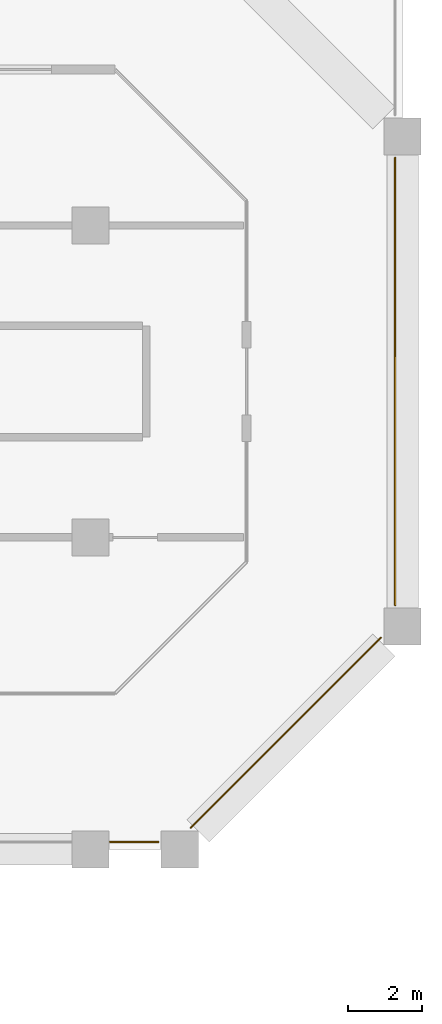
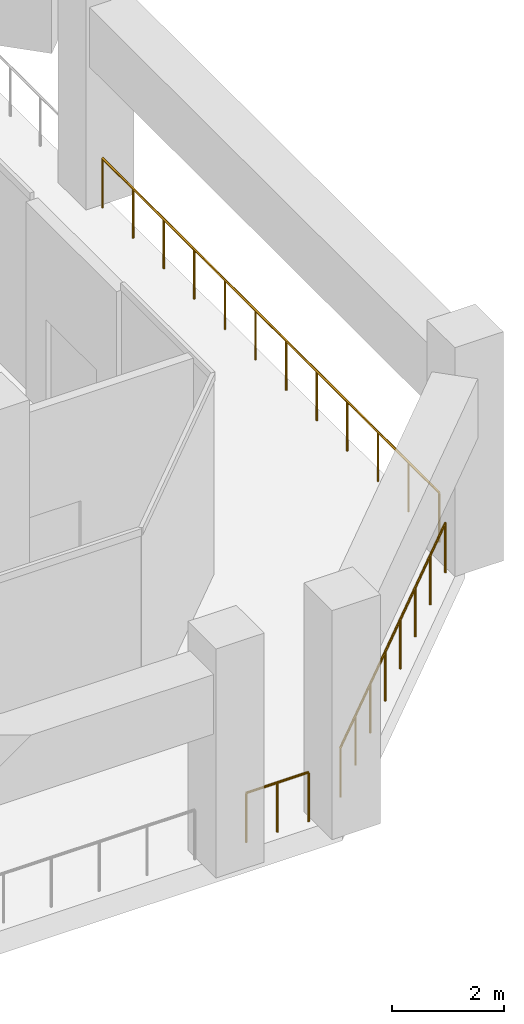
# One storey, part 19 of 19: 3 railings.
"""IFC4 building model written with IfcOpenShell, lengths in metres."""

import ifcopenshell
import ifcopenshell.guid

model = None  # the IFC model being written
_history = None  # IfcOwnerHistory: only IFC2X3 demands one
_inside = {}  # id of a spatial element -> (the spatial element, [elements in it])
_under = {}  # id of a project, library or spatial element -> (it, [spatial elements below it])
_declared = {}  # id of a project -> (the project, [libraries it declares])
_typed = {}  # id of a type object -> (the type object, [elements of that type])
_made_of = {}  # id of a material, layer set ... -> (it, [elements and type objects made of it])


def new_model(schema):
    """Start an empty IFC model of exactly this schema.

    Asked for "IFC4X3", IfcOpenShell would pick the latest addendum, in which some entities
    have other attributes; the version numbers below select the first issue.
    IFC2X3 requires an IfcOwnerHistory on every rooted entity: one is made here for all.
    """
    global model, _history
    if schema == "IFC4X3":
        model = ifcopenshell.file(schema_version=(4, 3, 0, 0))
    else:
        model = ifcopenshell.file(schema=schema)
    _inside.clear()
    _under.clear()
    _declared.clear()
    _typed.clear()
    _made_of.clear()
    _history = None
    if model.schema == "IFC2X3":
        org = make("IfcOrganization", Name="unknown")
        user = make(
            "IfcPersonAndOrganization",
            ThePerson=make("IfcPerson", FamilyName="unknown"),
            TheOrganization=org,
        )
        app = make(
            "IfcApplication",
            ApplicationDeveloper=org,
            Version="unknown",
            ApplicationFullName="unknown",
            ApplicationIdentifier="unknown",
        )
        _history = make(
            "IfcOwnerHistory",
            OwningUser=user,
            OwningApplication=app,
            ChangeAction="ADDED",
            CreationDate=0,
        )
    return model


def make(cls, **values):
    """One entity of the class cls with the attributes given. An attribute that is None is left unset."""
    return model.create_entity(
        cls, **{name: value for name, value in values.items() if value is not None}
    )


def rooted(cls, **values):
    """An entity with a GlobalId (a new one), such as an element, a storey or a relation."""
    return make(cls, GlobalId=ifcopenshell.guid.new(), OwnerHistory=_history, **values)


def si_unit(unit_type, name, prefix=None):
    """IfcSIUnit, for example si_unit("LENGTHUNIT", "METRE", prefix="MILLI")."""
    return make("IfcSIUnit", UnitType=unit_type, Prefix=prefix, Name=name)


def assignment(units):
    """IfcUnitAssignment: the units of a project."""
    return None if units is None else make("IfcUnitAssignment", Units=units)


def point(xyz):
    """IfcCartesianPoint."""
    return None if xyz is None else make("IfcCartesianPoint", Coordinates=xyz)


def direction(xyz):
    """IfcDirection."""
    return None if xyz is None else make("IfcDirection", DirectionRatios=xyz)


def frame(location, z_axis=None, x_axis=None):
    """IfcAxis2Placement3D, a coordinate frame: its origin and axes. An axis left out is left unset."""
    return make(
        "IfcAxis2Placement3D",
        Location=point(location),
        Axis=direction(z_axis),
        RefDirection=direction(x_axis),
    )


def frame_2d(location, x_axis=None):
    """IfcAxis2Placement2D, a coordinate frame in the plane: its origin and x axis."""
    return make(
        "IfcAxis2Placement2D", Location=point(location), RefDirection=direction(x_axis)
    )


def origin():
    """The frame at (0, 0, 0) with its axes left unset."""
    return frame((0.0, 0.0, 0.0))


def origin_2d():
    """The frame at (0, 0) in the plane with its x axis left unset."""
    return frame_2d((0.0, 0.0))


def place(relative_to, where):
    """IfcLocalPlacement: puts the frame where relative to a parent placement (None: the world)."""
    return make(
        "IfcLocalPlacement", PlacementRelTo=relative_to, RelativePlacement=where
    )


def context(
    kind, dimensions, precision=None, world=None, true_north=None, identifier=None
):
    """IfcGeometricRepresentationContext, for example the 3D "Model" context."""
    return make(
        "IfcGeometricRepresentationContext",
        ContextIdentifier=identifier,
        ContextType=kind,
        CoordinateSpaceDimension=dimensions,
        Precision=precision,
        WorldCoordinateSystem=world,
        TrueNorth=true_north,
    )


def subcontext(parent, identifier, kind, view, scale=None):
    """IfcGeometricRepresentationSubContext, for example "Body" below "Model"."""
    return make(
        "IfcGeometricRepresentationSubContext",
        ContextIdentifier=identifier,
        ContextType=kind,
        ParentContext=parent,
        TargetScale=scale,
        TargetView=view,
    )


def project(units=None, contexts=None):
    """IfcProject with its units and contexts."""
    return rooted(
        "IfcProject",
        Name="project",
        RepresentationContexts=contexts,
        UnitsInContext=assignment(units),
    )


def spatial(cls, under=None, at=None, **own):
    """A site, building, storey or space (cls), placed at a placement, below another one or the project."""
    s = rooted(cls, ObjectPlacement=at, **own)
    if under is not None:
        _under.setdefault(under.id(), (under, []))[1].append(s)
    return s


def profile(cls, at=None, kind="AREA", **sizes):
    """A parametric profile (cls). Its sizes go by their IFC names, for example OverallWidth=200.0."""
    return make(cls, ProfileType=kind, Position=at, **sizes)


def circle(**sizes):
    """IfcCircleProfileDef."""
    return profile("IfcCircleProfileDef", **sizes)


def extrude(swept, where, along, depth):
    """IfcExtrudedAreaSolid: the profile swept, set in the frame where, extruded along a direction by depth."""
    return make(
        "IfcExtrudedAreaSolid",
        SweptArea=swept,
        Position=where,
        ExtrudedDirection=direction(along),
        Depth=depth,
    )


def shape(context_of_items, identifier, shape_type, items):
    """IfcShapeRepresentation: the items that make up one representation, for example the "Body"."""
    return make(
        "IfcShapeRepresentation",
        ContextOfItems=context_of_items,
        RepresentationIdentifier=identifier,
        RepresentationType=shape_type,
        Items=items,
    )


def material(Name=None, Category=None):
    """IfcMaterial."""
    return make("IfcMaterial", Name=Name, Category=Category)


def made_of(thing, what):
    """Note that an element or type object is made of a material, layer set ...; save() writes the relation."""
    if what is not None:
        _made_of.setdefault(what.id(), (what, []))[1].append(thing)
    return thing


def type_object(cls, material=None, **own):
    """A type object (cls), such as IfcWallType, which elements share."""
    return made_of(rooted(cls, **own), material)


def element(
    cls,
    number,
    at=None,
    inside=None,
    cuts=None,
    type_object=None,
    material=None,
    context=None,
    identifier="Body",
    shape_type=None,
    held_by="IfcProductDefinitionShape",
    body=None,
    shapes=None,
    **own,
):
    """One element of the class cls, such as IfcWall. Its Tag is "e" and its number.

    at: its placement. inside: the storey or other place that contains it. cuts: it is an
    opening in that element (IfcRelVoidsElement). A single representation is given by context,
    identifier, shape_type and body (its items); several are given by shapes. held_by: the class
    of the entity that holds the representations. save() writes the other relations.
    """
    e = rooted(cls, Tag="e%d" % number, ObjectPlacement=at, **own)
    if body is not None:
        shapes = [shape(context, identifier, shape_type, body)]
    if shapes is not None:
        e.Representation = make(held_by, Representations=shapes)
    if inside is not None:
        _inside.setdefault(inside.id(), (inside, []))[1].append(e)
    if cuts is not None:
        rooted(
            "IfcRelVoidsElement", RelatingBuildingElement=cuts, RelatedOpeningElement=e
        )
    if type_object is not None:
        _typed.setdefault(type_object.id(), (type_object, []))[1].append(e)
    return made_of(e, material)


def aggregate(whole, parts):
    """IfcRelAggregates: a whole, such as a stair, and the parts it consists of."""
    return rooted("IfcRelAggregates", RelatingObject=whole, RelatedObjects=parts)


def save(model, path):
    """Write the relations noted so far, then the file.

    IfcRelAggregates (storeys below a building ...), IfcRelContainedInSpatialStructure (elements
    in a storey), IfcRelDefinesByType, IfcRelAssociatesMaterial and IfcRelDeclares: one each for
    every whole, place, type object, material and project.
    """
    for whole, parts in _under.values():
        aggregate(whole, parts)
    for where, things in _inside.values():
        rooted(
            "IfcRelContainedInSpatialStructure",
            RelatedElements=things,
            RelatingStructure=where,
        )
    for kind, things in _typed.values():
        rooted("IfcRelDefinesByType", RelatedObjects=things, RelatingType=kind)
    for what, things in _made_of.values():
        rooted("IfcRelAssociatesMaterial", RelatedObjects=things, RelatingMaterial=what)
    for by, libraries in _declared.values():
        rooted("IfcRelDeclares", RelatingContext=by, RelatedDefinitions=libraries)
    model.write(path)


model = new_model("IFC4")

# Units and contexts
model_context = context("Model", 3, precision=1e-05, world=origin(), true_north=direction((0.0, 1.0)))
body_context = subcontext(model_context, "Body", "Model", "MODEL_VIEW")
ifc_project = project(units=[si_unit("LENGTHUNIT", "METRE"), si_unit("AREAUNIT", "SQUARE_METRE"), si_unit("VOLUMEUNIT", "CUBIC_METRE"), si_unit("PLANEANGLEUNIT", "RADIAN"), si_unit("MASSUNIT", "GRAM", prefix="KILO")], contexts=[model_context])

# Site, building, storey
site_placement = place(None, origin())
site = spatial("IfcSite", under=ifc_project, at=site_placement, CompositionType="ELEMENT")
building_placement = place(site_placement, origin())
building = spatial("IfcBuilding", under=site, at=building_placement, Name="Kawkab Arch Medical Tower", CompositionType="ELEMENT")
storey_placement = place(building_placement, frame((0.0, 0.0, 153.39990234375)))
storey = spatial("IfcBuildingStorey", under=building, at=storey_placement, Name="L35", CompositionType="ELEMENT", Elevation=153.39990234375)

# Railings
ifc_material = material(Name="Bronze anodised aluminium guard", Category="aluminium")
railing_type = type_object("IfcRailingType", Name="Loggia and terrace guard 1100", PredefinedType="GUARDRAIL", material=ifc_material)
railing_1_placement = place(storey_placement, frame((75.39990234375, -6.580078125, 0.0)))
element("IfcRailing", 1, at=railing_1_placement, inside=storey, type_object=railing_type, Name="Guard L35.REF-01.1.2", PredefinedType="GUARDRAIL", context=body_context, shape_type="SweptSolid", body=[
    extrude(circle(Radius=0.02392578125, at=origin_2d()), frame((0.0, 0.0, 1.076171875), z_axis=(0.0, -1.0, 0.0), x_axis=(1.0, 0.0, 0.0)), (0.0, 0.0, 1.0), 12.0400390625),
    extrude(circle(Radius=0.02099609375, at=origin_2d()), origin(), (0.0, 0.0, 1.0), 1.052001953125),
    extrude(circle(Radius=0.02099609375, at=origin_2d()), frame((0.0, -1.094482421875, 0.0)), (0.0, 0.0, 1.0), 1.052001953125),
    extrude(circle(Radius=0.02099609375, at=origin_2d()), frame((0.0, -2.189208984375, 0.0)), (0.0, 0.0, 1.0), 1.052001953125),
    extrude(circle(Radius=0.02099609375, at=origin_2d()), frame((0.0, -3.28369140625, 0.0)), (0.0, 0.0, 1.0), 1.052001953125),
    extrude(circle(Radius=0.02099609375, at=origin_2d()), frame((0.0, -4.378173828125, 0.0)), (0.0, 0.0, 1.0), 1.052001953125),
    extrude(circle(Radius=0.02099609375, at=origin_2d()), frame((0.0, -5.47265625, 0.0)), (0.0, 0.0, 1.0), 1.052001953125),
    extrude(circle(Radius=0.02099609375, at=origin_2d()), frame((0.0, -6.5673828125, 0.0)), (0.0, 0.0, 1.0), 1.052001953125),
    extrude(circle(Radius=0.02099609375, at=origin_2d()), frame((0.0, -7.661865234375, 0.0)), (0.0, 0.0, 1.0), 1.052001953125),
    extrude(circle(Radius=0.02099609375, at=origin_2d()), frame((0.0, -8.75634765625, 0.0)), (0.0, 0.0, 1.0), 1.052001953125),
    extrude(circle(Radius=0.02099609375, at=origin_2d()), frame((0.0, -9.850830078125, 0.0)), (0.0, 0.0, 1.0), 1.052001953125),
    extrude(circle(Radius=0.02099609375, at=origin_2d()), frame((0.0, -10.945556640625, 0.0)), (0.0, 0.0, 1.0), 1.052001953125),
    extrude(circle(Radius=0.02099609375, at=origin_2d()), frame((0.0, -12.0400390625, 0.0)), (0.0, 0.0, 1.0), 1.052001953125),
])
railing_2_placement = place(storey_placement, frame((75.02001953125, -19.4970703125, 0.0)))
element("IfcRailing", 2, at=railing_2_placement, inside=storey, type_object=railing_type, Name="Guard L35.REF-01.1.3", PredefinedType="GUARDRAIL", context=body_context, shape_type="SweptSolid", body=[
    extrude(circle(Radius=0.02392578125, at=origin_2d()), frame((0.0, 0.0, 1.076171875), z_axis=(-0.707106781187, -0.707106781187, 0.0), x_axis=(0.707106781187, -0.707106781187, 0.0)), (0.0, 0.0, 1.0), 7.2451171875),
    extrude(circle(Radius=0.02099609375, at=origin_2d()), origin(), (0.0, 0.0, 1.0), 1.052001953125),
    extrude(circle(Radius=0.02099609375, at=origin_2d()), frame((-0.73193359375, -0.73193359375, 0.0)), (0.0, 0.0, 1.0), 1.052001953125),
    extrude(circle(Radius=0.02099609375, at=origin_2d()), frame((-1.463623046875, -1.463623046875, 0.0)), (0.0, 0.0, 1.0), 1.052001953125),
    extrude(circle(Radius=0.02099609375, at=origin_2d()), frame((-2.195556640625, -2.195556640625, 0.0)), (0.0, 0.0, 1.0), 1.052001953125),
    extrude(circle(Radius=0.02099609375, at=origin_2d()), frame((-2.927490234375, -2.927490234375, 0.0)), (0.0, 0.0, 1.0), 1.052001953125),
    extrude(circle(Radius=0.02099609375, at=origin_2d()), frame((-3.659423828125, -3.659423828125, 0.0)), (0.0, 0.0, 1.0), 1.052001953125),
    extrude(circle(Radius=0.02099609375, at=origin_2d()), frame((-4.39111328125, -4.39111328125, 0.0)), (0.0, 0.0, 1.0), 1.052001953125),
    extrude(circle(Radius=0.02099609375, at=origin_2d()), frame((-5.123046875, -5.123046875, 0.0)), (0.0, 0.0, 1.0), 1.052001953125),
])
railing_3_placement = place(storey_placement, frame((69.02001953125, -25.0, 0.0)))
element("IfcRailing", 3, at=railing_3_placement, inside=storey, type_object=railing_type, Name="Guard L35.REF-01.1.4", PredefinedType="GUARDRAIL", context=body_context, shape_type="SweptSolid", body=[
    extrude(circle(Radius=0.02392578125, at=origin_2d()), frame((0.0, 0.0, 1.076171875), z_axis=(-1.0, 0.0, 0.0), x_axis=(0.0, -1.0, 0.0)), (0.0, 0.0, 1.0), 1.2900390625),
    extrude(circle(Radius=0.02099609375, at=origin_2d()), origin(), (0.0, 0.0, 1.0), 1.052001953125),
    extrude(circle(Radius=0.02099609375, at=origin_2d()), frame((-0.64501953125, 0.0, 0.0)), (0.0, 0.0, 1.0), 1.052001953125),
    extrude(circle(Radius=0.02099609375, at=origin_2d()), frame((-1.2900390625, 0.0, 0.0)), (0.0, 0.0, 1.0), 1.052001953125),
])

save(model, "model.ifc")
